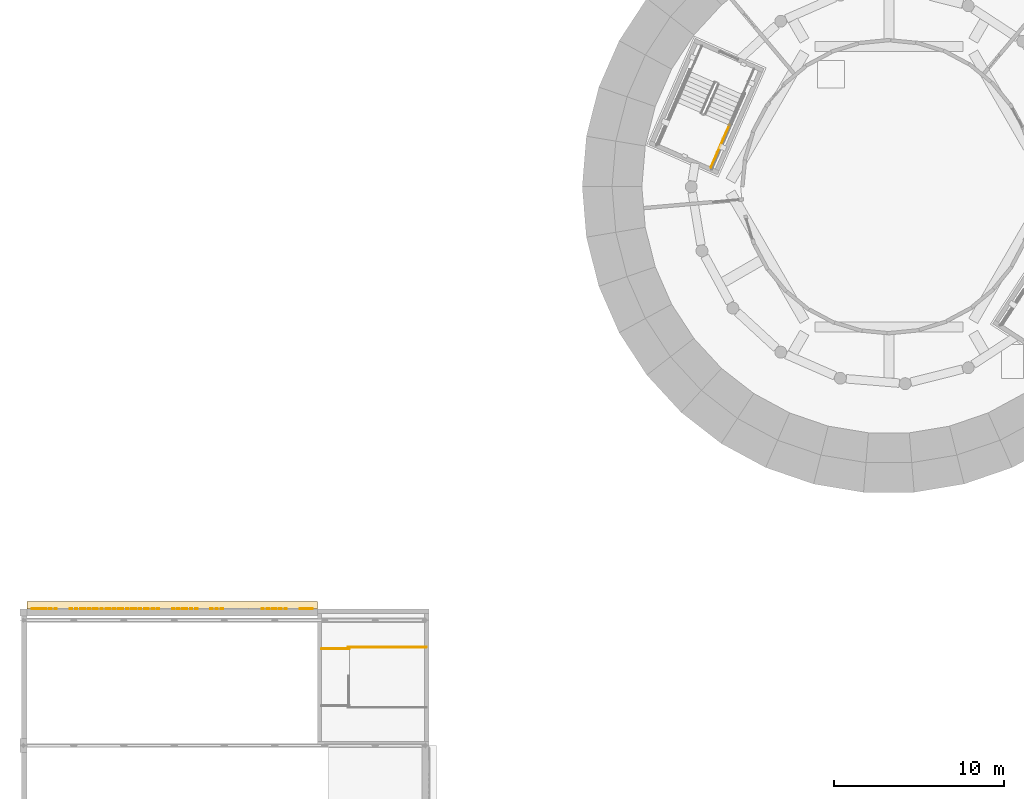
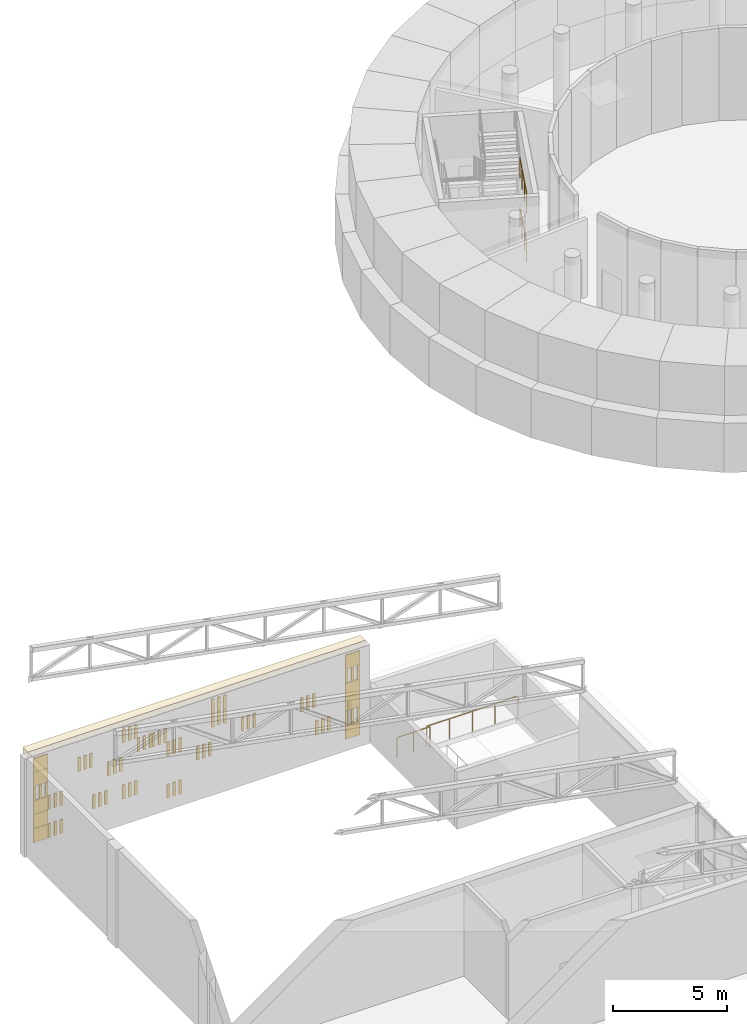
# One storey, part 117 of 125: 4 railings, 2 coverings.
"""IFC4 building model written with IfcOpenShell, lengths in metres."""

from ifc_helpers import new_model, si_unit, direction, frame, origin, origin_2d, place, context, subcontext, project, spatial, rectangle, circle, extrude, material, layer, layer_set, type_object, element, save


model = new_model("IFC4")

# Units and contexts
model_context = context("Model", 3, precision=1e-05, world=origin(), true_north=direction((0.0, 1.0)))
body_context = subcontext(model_context, "Body", "Model", "MODEL_VIEW")
ifc_project = project(units=[si_unit("LENGTHUNIT", "METRE"), si_unit("AREAUNIT", "SQUARE_METRE"), si_unit("VOLUMEUNIT", "CUBIC_METRE"), si_unit("PLANEANGLEUNIT", "RADIAN"), si_unit("MASSUNIT", "GRAM", prefix="KILO")], contexts=[model_context])

# Site, building, storey
site_placement = place(None, origin())
site = spatial("IfcSite", under=ifc_project, at=site_placement, CompositionType="ELEMENT")
building_placement = place(site_placement, origin())
building = spatial("IfcBuilding", under=site, at=building_placement, Name="Sun Court Science Centre", CompositionType="ELEMENT")
storey_placement = place(building_placement, frame((0.0, 0.0, 6.0)))
storey = spatial("IfcBuildingStorey", under=building, at=storey_placement, Name="L01", CompositionType="ELEMENT", Elevation=6.0)

# Railings
ifc_material_1 = material(Name="Steel S275", Category="steel")
railing_type = type_object("IfcRailingType", Name="Guard 1100 steel balustrade", PredefinedType="GUARDRAIL", material=ifc_material_1)
railing_1_placement = place(storey_placement, frame((19.248046875, 69.77294921875, 0.0)))
element("IfcRailing", 1, at=railing_1_placement, inside=storey, type_object=railing_type, Name="L01 ST2 top well guard 3", PredefinedType="GUARDRAIL", context=body_context, shape_type="SweptSolid", body=[
    extrude(circle(Radius=0.02392578125, at=origin_2d()), frame((0.0, 0.0, 1.076171875), z_axis=(1.0, 0.0, 0.0), x_axis=(0.0, 1.0, 0.0)), (0.0, 0.0, 1.0), 4.60205078125),
    extrude(circle(Radius=0.02099609375, at=origin_2d()), origin(), (0.0, 0.0, 1.0), 1.052001953125),
    extrude(circle(Radius=0.02099609375, at=origin_2d()), frame((1.150390625, 0.0, 0.0)), (0.0, 0.0, 1.0), 1.052001953125),
    extrude(circle(Radius=0.02099609375, at=origin_2d()), frame((2.301025390625, 0.0, 0.0)), (0.0, 0.0, 1.0), 1.052001953125),
    extrude(circle(Radius=0.02099609375, at=origin_2d()), frame((3.45166015625, 0.0, 0.0)), (0.0, 0.0, 1.0), 1.052001953125),
    extrude(circle(Radius=0.02099609375, at=origin_2d()), frame((4.60205078125, 0.0, 0.0)), (0.0, 0.0, 1.0), 1.052001953125),
])
railing_2_placement = place(storey_placement, frame((17.699951171875, 69.673095703125, 0.0)))
element("IfcRailing", 2, at=railing_2_placement, inside=storey, type_object=railing_type, Name="L01 ST2 top well guard 5", PredefinedType="GUARDRAIL", context=body_context, shape_type="SweptSolid", body=[
    extrude(circle(Radius=0.02392578125, at=origin_2d()), frame((0.0, 0.0, 1.076171875), z_axis=(1.0, 0.0, 0.0), x_axis=(0.0, 1.0, 0.0)), (0.0, 0.0, 1.0), 1.64794921875),
    extrude(circle(Radius=0.02099609375, at=origin_2d()), origin(), (0.0, 0.0, 1.0), 1.052001953125),
    extrude(circle(Radius=0.02099609375, at=origin_2d()), frame((0.823974609375, 0.0, 0.0)), (0.0, 0.0, 1.0), 1.052001953125),
    extrude(circle(Radius=0.02099609375, at=origin_2d()), frame((1.64794921875, 0.0, 0.0)), (0.0, 0.0, 1.0), 1.052001953125),
])
for number, where, name in (
    (3, (41.633544921875, 100.408447265625, 1.3125), "L01 PS2 stair guard 4"),
    (4, (41.633544921875, 100.408447265625, 3.9375), "L01 PS2 stair guard 12"),
):
    element("IfcRailing", number, at=place(storey_placement, frame(where)), inside=storey, type_object=railing_type, Name=name, PredefinedType="GUARDRAIL", context=body_context, shape_type="SweptSolid", body=[
        extrude(circle(Radius=0.02392578125, at=origin_2d()), frame((0.0, 0.0, 1.076171875), z_axis=(-0.401665498171, -0.915786453044, 0.0), x_axis=(0.915786453044, -0.401665498171, 0.0)), (0.0, 0.0, 1.0), 2.692138671875),
        extrude(circle(Radius=0.02099609375, at=origin_2d()), origin(), (0.0, 0.0, 1.0), 1.052001953125),
        extrude(circle(Radius=0.02099609375, at=origin_2d()), frame((-0.3603515625, -0.82177734375, 0.0)), (0.0, 0.0, 1.0), 1.052001953125),
        extrude(circle(Radius=0.02099609375, at=origin_2d()), frame((-0.720947265625, -1.6435546875, 0.0)), (0.0, 0.0, 1.0), 1.052001953125),
        extrude(circle(Radius=0.02099609375, at=origin_2d()), frame((-1.081298828125, -2.46533203125, 0.0)), (0.0, 0.0, 1.0), 1.052001953125),
    ])

# Coverings
ifc_material_2 = material(Name="Red sandstone", Category="masonry")
ifc_layer_1 = layer(ifc_material_2, 0.06005859375)
ifc_layer_set_1 = layer_set([ifc_layer_1], Name="Red sandstone")
covering_type_1 = type_object("IfcCoveringType", Name="Red sandstone jali relief 750", PredefinedType="CLADDING", material=ifc_layer_set_1)
covering_1_placement = place(storey_placement, frame((0.0, 0.0, -6.0)))
element("IfcCovering", 5, at=covering_1_placement, inside=storey, type_object=covering_type_1, Name="Red sandstone jali relief theatre-STAGE-north face-L01 L01", PredefinedType="CLADDING", context=body_context, shape_type="SweptSolid", body=[
    extrude(rectangle(XDim=0.139892578125, YDim=0.06005859375, at=origin_2d()), frame((1.5, 72.030029296875, 6.0048828125), z_axis=(0.0, 0.0, 1.0), x_axis=(1.0, 0.0, 0.0)), (0.0, 0.0, 1.0), 0.739990234375),
    extrude(rectangle(XDim=0.139892578125, YDim=0.06005859375, at=origin_2d()), frame((1.800048828125, 72.030029296875, 6.0048828125), z_axis=(0.0, 0.0, 1.0), x_axis=(1.0, 0.0, 0.0)), (0.0, 0.0, 1.0), 0.739990234375),
    extrude(rectangle(XDim=0.139892578125, YDim=0.06005859375, at=origin_2d()), frame((2.10009765625, 72.030029296875, 6.0048828125), z_axis=(0.0, 0.0, 1.0), x_axis=(1.0, 0.0, 0.0)), (0.0, 0.0, 1.0), 0.739990234375),
    extrude(rectangle(XDim=0.139892578125, YDim=0.06005859375, at=origin_2d()), frame((7.5, 72.030029296875, 6.0048828125), z_axis=(0.0, 0.0, 1.0), x_axis=(1.0, 0.0, 0.0)), (0.0, 0.0, 1.0), 0.739990234375),
    extrude(rectangle(XDim=0.139892578125, YDim=0.06005859375, at=origin_2d()), frame((7.800048828125, 72.030029296875, 6.0048828125), z_axis=(0.0, 0.0, 1.0), x_axis=(1.0, 0.0, 0.0)), (0.0, 0.0, 1.0), 0.739990234375),
    extrude(rectangle(XDim=0.139892578125, YDim=0.06005859375, at=origin_2d()), frame((8.10009765625, 72.030029296875, 6.0048828125), z_axis=(0.0, 0.0, 1.0), x_axis=(1.0, 0.0, 0.0)), (0.0, 0.0, 1.0), 0.739990234375),
    extrude(rectangle(XDim=0.139892578125, YDim=0.06005859375, at=origin_2d()), frame((3.75, 72.030029296875, 6.7548828125), z_axis=(0.0, 0.0, 1.0), x_axis=(1.0, 0.0, 0.0)), (0.0, 0.0, 1.0), 0.739990234375),
    extrude(rectangle(XDim=0.139892578125, YDim=0.06005859375, at=origin_2d()), frame((4.050048828125, 72.030029296875, 6.7548828125), z_axis=(0.0, 0.0, 1.0), x_axis=(1.0, 0.0, 0.0)), (0.0, 0.0, 1.0), 0.739990234375),
    extrude(rectangle(XDim=0.139892578125, YDim=0.06005859375, at=origin_2d()), frame((4.35009765625, 72.030029296875, 6.7548828125), z_axis=(0.0, 0.0, 1.0), x_axis=(1.0, 0.0, 0.0)), (0.0, 0.0, 1.0), 0.739990234375),
    extrude(rectangle(XDim=0.139892578125, YDim=0.06005859375, at=origin_2d()), frame((5.25, 72.030029296875, 6.7548828125), z_axis=(0.0, 0.0, 1.0), x_axis=(1.0, 0.0, 0.0)), (0.0, 0.0, 1.0), 0.739990234375),
    extrude(rectangle(XDim=0.139892578125, YDim=0.06005859375, at=origin_2d()), frame((5.550048828125, 72.030029296875, 6.7548828125), z_axis=(0.0, 0.0, 1.0), x_axis=(1.0, 0.0, 0.0)), (0.0, 0.0, 1.0), 0.739990234375),
    extrude(rectangle(XDim=0.139892578125, YDim=0.06005859375, at=origin_2d()), frame((5.85009765625, 72.030029296875, 6.7548828125), z_axis=(0.0, 0.0, 1.0), x_axis=(1.0, 0.0, 0.0)), (0.0, 0.0, 1.0), 0.739990234375),
    extrude(rectangle(XDim=0.139892578125, YDim=0.06005859375, at=origin_2d()), frame((15.0, 72.030029296875, 6.7548828125), z_axis=(0.0, 0.0, 1.0), x_axis=(1.0, 0.0, 0.0)), (0.0, 0.0, 1.0), 0.739990234375),
    extrude(rectangle(XDim=0.139892578125, YDim=0.06005859375, at=origin_2d()), frame((15.300048828125, 72.030029296875, 6.7548828125), z_axis=(0.0, 0.0, 1.0), x_axis=(1.0, 0.0, 0.0)), (0.0, 0.0, 1.0), 0.739990234375),
    extrude(rectangle(XDim=0.139892578125, YDim=0.06005859375, at=origin_2d()), frame((15.60009765625, 72.030029296875, 6.7548828125), z_axis=(0.0, 0.0, 1.0), x_axis=(1.0, 0.0, 0.0)), (0.0, 0.0, 1.0), 0.739990234375),
    extrude(rectangle(XDim=0.139892578125, YDim=0.06005859375, at=origin_2d()), frame((16.5, 72.030029296875, 6.7548828125), z_axis=(0.0, 0.0, 1.0), x_axis=(1.0, 0.0, 0.0)), (0.0, 0.0, 1.0), 0.739990234375),
    extrude(rectangle(XDim=0.139892578125, YDim=0.06005859375, at=origin_2d()), frame((16.800048828125, 72.030029296875, 6.7548828125), z_axis=(0.0, 0.0, 1.0), x_axis=(1.0, 0.0, 0.0)), (0.0, 0.0, 1.0), 0.739990234375),
    extrude(rectangle(XDim=0.139892578125, YDim=0.06005859375, at=origin_2d()), frame((17.10009765625, 72.030029296875, 6.7548828125), z_axis=(0.0, 0.0, 1.0), x_axis=(1.0, 0.0, 0.0)), (0.0, 0.0, 1.0), 0.739990234375),
    extrude(rectangle(XDim=0.139892578125, YDim=0.06005859375, at=origin_2d()), frame((1.5, 72.030029296875, 7.5048828125), z_axis=(0.0, 0.0, 1.0), x_axis=(1.0, 0.0, 0.0)), (0.0, 0.0, 1.0), 0.739990234375),
    extrude(rectangle(XDim=0.139892578125, YDim=0.06005859375, at=origin_2d()), frame((1.800048828125, 72.030029296875, 7.5048828125), z_axis=(0.0, 0.0, 1.0), x_axis=(1.0, 0.0, 0.0)), (0.0, 0.0, 1.0), 0.739990234375),
    extrude(rectangle(XDim=0.139892578125, YDim=0.06005859375, at=origin_2d()), frame((2.10009765625, 72.030029296875, 7.5048828125), z_axis=(0.0, 0.0, 1.0), x_axis=(1.0, 0.0, 0.0)), (0.0, 0.0, 1.0), 0.739990234375),
    extrude(rectangle(XDim=0.139892578125, YDim=0.06005859375, at=origin_2d()), frame((9.0, 72.030029296875, 7.5048828125), z_axis=(0.0, 0.0, 1.0), x_axis=(1.0, 0.0, 0.0)), (0.0, 0.0, 1.0), 0.739990234375),
    extrude(rectangle(XDim=0.139892578125, YDim=0.06005859375, at=origin_2d()), frame((9.300048828125, 72.030029296875, 7.5048828125), z_axis=(0.0, 0.0, 1.0), x_axis=(1.0, 0.0, 0.0)), (0.0, 0.0, 1.0), 0.739990234375),
    extrude(rectangle(XDim=0.139892578125, YDim=0.06005859375, at=origin_2d()), frame((9.60009765625, 72.030029296875, 7.5048828125), z_axis=(0.0, 0.0, 1.0), x_axis=(1.0, 0.0, 0.0)), (0.0, 0.0, 1.0), 0.739990234375),
    extrude(rectangle(XDim=0.139892578125, YDim=0.06005859375, at=origin_2d()), frame((0.75, 72.030029296875, 8.2548828125), z_axis=(0.0, 0.0, 1.0), x_axis=(1.0, 0.0, 0.0)), (0.0, 0.0, 1.0), 0.739990234375),
    extrude(rectangle(XDim=0.139892578125, YDim=0.06005859375, at=origin_2d()), frame((1.050048828125, 72.030029296875, 8.2548828125), z_axis=(0.0, 0.0, 1.0), x_axis=(1.0, 0.0, 0.0)), (0.0, 0.0, 1.0), 0.739990234375),
    extrude(rectangle(XDim=0.139892578125, YDim=0.06005859375, at=origin_2d()), frame((1.35009765625, 72.030029296875, 8.2548828125), z_axis=(0.0, 0.0, 1.0), x_axis=(1.0, 0.0, 0.0)), (0.0, 0.0, 1.0), 0.739990234375),
    extrude(rectangle(XDim=0.139892578125, YDim=0.06005859375, at=origin_2d()), frame((4.5, 72.030029296875, 8.2548828125), z_axis=(0.0, 0.0, 1.0), x_axis=(1.0, 0.0, 0.0)), (0.0, 0.0, 1.0), 0.739990234375),
    extrude(rectangle(XDim=0.139892578125, YDim=0.06005859375, at=origin_2d()), frame((4.800048828125, 72.030029296875, 8.2548828125), z_axis=(0.0, 0.0, 1.0), x_axis=(1.0, 0.0, 0.0)), (0.0, 0.0, 1.0), 0.739990234375),
    extrude(rectangle(XDim=0.139892578125, YDim=0.06005859375, at=origin_2d()), frame((5.10009765625, 72.030029296875, 8.2548828125), z_axis=(0.0, 0.0, 1.0), x_axis=(1.0, 0.0, 0.0)), (0.0, 0.0, 1.0), 0.739990234375),
    extrude(rectangle(XDim=0.139892578125, YDim=0.06005859375, at=origin_2d()), frame((7.5, 72.030029296875, 8.2548828125), z_axis=(0.0, 0.0, 1.0), x_axis=(1.0, 0.0, 0.0)), (0.0, 0.0, 1.0), 0.739990234375),
    extrude(rectangle(XDim=0.139892578125, YDim=0.06005859375, at=origin_2d()), frame((7.800048828125, 72.030029296875, 8.2548828125), z_axis=(0.0, 0.0, 1.0), x_axis=(1.0, 0.0, 0.0)), (0.0, 0.0, 1.0), 0.739990234375),
    extrude(rectangle(XDim=0.139892578125, YDim=0.06005859375, at=origin_2d()), frame((8.10009765625, 72.030029296875, 8.2548828125), z_axis=(0.0, 0.0, 1.0), x_axis=(1.0, 0.0, 0.0)), (0.0, 0.0, 1.0), 0.739990234375),
    extrude(rectangle(XDim=0.139892578125, YDim=0.06005859375, at=origin_2d()), frame((11.25, 72.030029296875, 8.2548828125), z_axis=(0.0, 0.0, 1.0), x_axis=(1.0, 0.0, 0.0)), (0.0, 0.0, 1.0), 0.739990234375),
    extrude(rectangle(XDim=0.139892578125, YDim=0.06005859375, at=origin_2d()), frame((11.550048828125, 72.030029296875, 8.2548828125), z_axis=(0.0, 0.0, 1.0), x_axis=(1.0, 0.0, 0.0)), (0.0, 0.0, 1.0), 0.739990234375),
    extrude(rectangle(XDim=0.139892578125, YDim=0.06005859375, at=origin_2d()), frame((11.85009765625, 72.030029296875, 8.2548828125), z_axis=(0.0, 0.0, 1.0), x_axis=(1.0, 0.0, 0.0)), (0.0, 0.0, 1.0), 0.739990234375),
    extrude(rectangle(XDim=0.139892578125, YDim=0.06005859375, at=origin_2d()), frame((14.25, 72.030029296875, 8.2548828125), z_axis=(0.0, 0.0, 1.0), x_axis=(1.0, 0.0, 0.0)), (0.0, 0.0, 1.0), 0.739990234375),
    extrude(rectangle(XDim=0.139892578125, YDim=0.06005859375, at=origin_2d()), frame((14.550048828125, 72.030029296875, 8.2548828125), z_axis=(0.0, 0.0, 1.0), x_axis=(1.0, 0.0, 0.0)), (0.0, 0.0, 1.0), 0.739990234375),
    extrude(rectangle(XDim=0.139892578125, YDim=0.06005859375, at=origin_2d()), frame((14.85009765625, 72.030029296875, 8.2548828125), z_axis=(0.0, 0.0, 1.0), x_axis=(1.0, 0.0, 0.0)), (0.0, 0.0, 1.0), 0.739990234375),
    extrude(rectangle(XDim=0.139892578125, YDim=0.06005859375, at=origin_2d()), frame((3.0, 72.030029296875, 9.0048828125), z_axis=(0.0, 0.0, 1.0), x_axis=(1.0, 0.0, 0.0)), (0.0, 0.0, 1.0), 0.739990234375),
    extrude(rectangle(XDim=0.139892578125, YDim=0.06005859375, at=origin_2d()), frame((3.300048828125, 72.030029296875, 9.0048828125), z_axis=(0.0, 0.0, 1.0), x_axis=(1.0, 0.0, 0.0)), (0.0, 0.0, 1.0), 0.739990234375),
    extrude(rectangle(XDim=0.139892578125, YDim=0.06005859375, at=origin_2d()), frame((3.60009765625, 72.030029296875, 9.0048828125), z_axis=(0.0, 0.0, 1.0), x_axis=(1.0, 0.0, 0.0)), (0.0, 0.0, 1.0), 0.739990234375),
    extrude(rectangle(XDim=0.139892578125, YDim=0.06005859375, at=origin_2d()), frame((6.0, 72.030029296875, 9.0048828125), z_axis=(0.0, 0.0, 1.0), x_axis=(1.0, 0.0, 0.0)), (0.0, 0.0, 1.0), 0.739990234375),
    extrude(rectangle(XDim=0.139892578125, YDim=0.06005859375, at=origin_2d()), frame((6.300048828125, 72.030029296875, 9.0048828125), z_axis=(0.0, 0.0, 1.0), x_axis=(1.0, 0.0, 0.0)), (0.0, 0.0, 1.0), 0.739990234375),
    extrude(rectangle(XDim=0.139892578125, YDim=0.06005859375, at=origin_2d()), frame((6.60009765625, 72.030029296875, 9.0048828125), z_axis=(0.0, 0.0, 1.0), x_axis=(1.0, 0.0, 0.0)), (0.0, 0.0, 1.0), 0.739990234375),
    extrude(rectangle(XDim=0.139892578125, YDim=0.06005859375, at=origin_2d()), frame((6.75, 72.030029296875, 9.0048828125), z_axis=(0.0, 0.0, 1.0), x_axis=(1.0, 0.0, 0.0)), (0.0, 0.0, 1.0), 0.739990234375),
    extrude(rectangle(XDim=0.139892578125, YDim=0.06005859375, at=origin_2d()), frame((7.050048828125, 72.030029296875, 9.0048828125), z_axis=(0.0, 0.0, 1.0), x_axis=(1.0, 0.0, 0.0)), (0.0, 0.0, 1.0), 0.739990234375),
    extrude(rectangle(XDim=0.139892578125, YDim=0.06005859375, at=origin_2d()), frame((7.35009765625, 72.030029296875, 9.0048828125), z_axis=(0.0, 0.0, 1.0), x_axis=(1.0, 0.0, 0.0)), (0.0, 0.0, 1.0), 0.739990234375),
    extrude(rectangle(XDim=0.139892578125, YDim=0.06005859375, at=origin_2d()), frame((9.75, 72.030029296875, 9.0048828125), z_axis=(0.0, 0.0, 1.0), x_axis=(1.0, 0.0, 0.0)), (0.0, 0.0, 1.0), 0.739990234375),
    extrude(rectangle(XDim=0.139892578125, YDim=0.06005859375, at=origin_2d()), frame((10.050048828125, 72.030029296875, 9.0048828125), z_axis=(0.0, 0.0, 1.0), x_axis=(1.0, 0.0, 0.0)), (0.0, 0.0, 1.0), 0.739990234375),
    extrude(rectangle(XDim=0.139892578125, YDim=0.06005859375, at=origin_2d()), frame((10.35009765625, 72.030029296875, 9.0048828125), z_axis=(0.0, 0.0, 1.0), x_axis=(1.0, 0.0, 0.0)), (0.0, 0.0, 1.0), 0.739990234375),
    extrude(rectangle(XDim=0.139892578125, YDim=0.06005859375, at=origin_2d()), frame((16.5, 72.030029296875, 9.0048828125), z_axis=(0.0, 0.0, 1.0), x_axis=(1.0, 0.0, 0.0)), (0.0, 0.0, 1.0), 0.739990234375),
    extrude(rectangle(XDim=0.139892578125, YDim=0.06005859375, at=origin_2d()), frame((16.800048828125, 72.030029296875, 9.0048828125), z_axis=(0.0, 0.0, 1.0), x_axis=(1.0, 0.0, 0.0)), (0.0, 0.0, 1.0), 0.739990234375),
    extrude(rectangle(XDim=0.139892578125, YDim=0.06005859375, at=origin_2d()), frame((17.10009765625, 72.030029296875, 9.0048828125), z_axis=(0.0, 0.0, 1.0), x_axis=(1.0, 0.0, 0.0)), (0.0, 0.0, 1.0), 0.739990234375),
    extrude(rectangle(XDim=0.139892578125, YDim=0.06005859375, at=origin_2d()), frame((5.25, 72.030029296875, 9.7548828125), z_axis=(0.0, 0.0, 1.0), x_axis=(1.0, 0.0, 0.0)), (0.0, 0.0, 1.0), 0.739990234375),
    extrude(rectangle(XDim=0.139892578125, YDim=0.06005859375, at=origin_2d()), frame((5.550048828125, 72.030029296875, 9.7548828125), z_axis=(0.0, 0.0, 1.0), x_axis=(1.0, 0.0, 0.0)), (0.0, 0.0, 1.0), 0.739990234375),
    extrude(rectangle(XDim=0.139892578125, YDim=0.06005859375, at=origin_2d()), frame((5.85009765625, 72.030029296875, 9.7548828125), z_axis=(0.0, 0.0, 1.0), x_axis=(1.0, 0.0, 0.0)), (0.0, 0.0, 1.0), 0.739990234375),
    extrude(rectangle(XDim=0.139892578125, YDim=0.06005859375, at=origin_2d()), frame((9.75, 72.030029296875, 9.7548828125), z_axis=(0.0, 0.0, 1.0), x_axis=(1.0, 0.0, 0.0)), (0.0, 0.0, 1.0), 0.739990234375),
    extrude(rectangle(XDim=0.139892578125, YDim=0.06005859375, at=origin_2d()), frame((10.050048828125, 72.030029296875, 9.7548828125), z_axis=(0.0, 0.0, 1.0), x_axis=(1.0, 0.0, 0.0)), (0.0, 0.0, 1.0), 0.739990234375),
    extrude(rectangle(XDim=0.139892578125, YDim=0.06005859375, at=origin_2d()), frame((10.35009765625, 72.030029296875, 9.7548828125), z_axis=(0.0, 0.0, 1.0), x_axis=(1.0, 0.0, 0.0)), (0.0, 0.0, 1.0), 0.739990234375),
    extrude(rectangle(XDim=0.739990234375, YDim=0.06005859375, at=origin_2d()), frame((1.050048828125, 72.030029296875, 6.0048828125), z_axis=(0.0, 0.0, 1.0), x_axis=(1.0, 0.0, 0.0)), (0.0, 0.0, 1.0), 0.739990234375),
    extrude(rectangle(XDim=0.739990234375, YDim=0.06005859375, at=origin_2d()), frame((1.050048828125, 72.030029296875, 6.7548828125), z_axis=(0.0, 0.0, 1.0), x_axis=(1.0, 0.0, 0.0)), (0.0, 0.0, 1.0), 0.739990234375),
    extrude(rectangle(XDim=0.739990234375, YDim=0.06005859375, at=origin_2d()), frame((1.050048828125, 72.030029296875, 7.5048828125), z_axis=(0.0, 0.0, 1.0), x_axis=(1.0, 0.0, 0.0)), (0.0, 0.0, 1.0), 0.739990234375),
    extrude(rectangle(XDim=0.739990234375, YDim=0.06005859375, at=origin_2d()), frame((1.050048828125, 72.030029296875, 9.0048828125), z_axis=(0.0, 0.0, 1.0), x_axis=(1.0, 0.0, 0.0)), (0.0, 0.0, 1.0), 0.739990234375),
    extrude(rectangle(XDim=0.739990234375, YDim=0.06005859375, at=origin_2d()), frame((1.050048828125, 72.030029296875, 9.7548828125), z_axis=(0.0, 0.0, 1.0), x_axis=(1.0, 0.0, 0.0)), (0.0, 0.0, 1.0), 0.739990234375),
    extrude(rectangle(XDim=0.739990234375, YDim=0.06005859375, at=origin_2d()), frame((16.800048828125, 72.030029296875, 6.0048828125), z_axis=(0.0, 0.0, 1.0), x_axis=(1.0, 0.0, 0.0)), (0.0, 0.0, 1.0), 0.739990234375),
    extrude(rectangle(XDim=0.739990234375, YDim=0.06005859375, at=origin_2d()), frame((16.800048828125, 72.030029296875, 7.5048828125), z_axis=(0.0, 0.0, 1.0), x_axis=(1.0, 0.0, 0.0)), (0.0, 0.0, 1.0), 0.739990234375),
    extrude(rectangle(XDim=0.739990234375, YDim=0.06005859375, at=origin_2d()), frame((16.800048828125, 72.030029296875, 8.2548828125), z_axis=(0.0, 0.0, 1.0), x_axis=(1.0, 0.0, 0.0)), (0.0, 0.0, 1.0), 0.739990234375),
    extrude(rectangle(XDim=0.739990234375, YDim=0.06005859375, at=origin_2d()), frame((16.800048828125, 72.030029296875, 9.7548828125), z_axis=(0.0, 0.0, 1.0), x_axis=(1.0, 0.0, 0.0)), (0.0, 0.0, 1.0), 0.739990234375),
])
ifc_material_3 = material(Name="Terracotta panel", Category="masonry")
ifc_layer_2 = layer(ifc_material_3, 0.449951171875)
ifc_layer_set_2 = layer_set([ifc_layer_2], Name="Terracotta panel")
covering_type_2 = type_object("IfcCoveringType", Name="Terracotta cornice 450", PredefinedType="CLADDING", material=ifc_layer_set_2)
covering_2_placement = place(storey_placement, frame((0.0, 0.0, -6.0)))
element("IfcCovering", 6, at=covering_2_placement, inside=storey, type_object=covering_type_2, Name="Terracotta cornice north wall L01", PredefinedType="CLADDING", context=body_context, shape_type="SweptSolid", body=[
    extrude(rectangle(XDim=17.050048828125, YDim=0.449951171875, at=origin_2d()), frame((8.925048828125, 72.22509765625, 10.64990234375), z_axis=(0.0, 0.0, 1.0), x_axis=(1.0, 0.0, 0.0)), (0.0, 0.0, 1.0), 0.300048828125),
])

save(model, "model.ifc")
